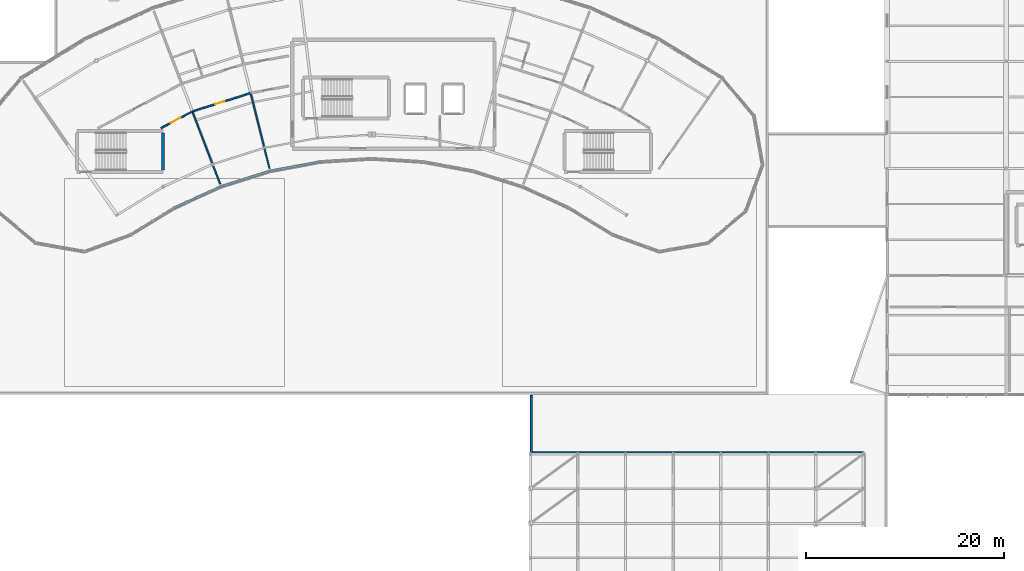
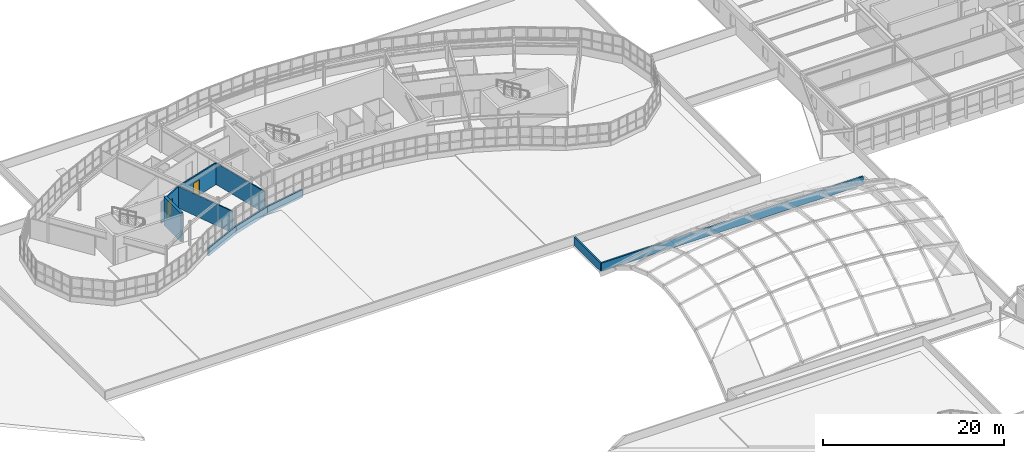
# One storey, part 106 of 128: 10 walls, 2 doors, 2 openings.
"""IFC4 building model written with IfcOpenShell, lengths in metres."""

from ifc_helpers import new_model, si_unit, direction, frame, frame_2d, origin, place, context, subcontext, project, spatial, rectangle, extrude, material, layer, layer_set, type_object, element, fill, save


model = new_model("IFC4")

# Units and contexts
model_context = context("Model", 3, precision=1e-05, world=origin(), true_north=direction((0.0, 1.0)))
body_context = subcontext(model_context, "Body", "Model", "MODEL_VIEW")
ifc_project = project(units=[si_unit("LENGTHUNIT", "METRE"), si_unit("AREAUNIT", "SQUARE_METRE"), si_unit("VOLUMEUNIT", "CUBIC_METRE"), si_unit("PLANEANGLEUNIT", "RADIAN"), si_unit("MASSUNIT", "GRAM", prefix="KILO")], contexts=[model_context])

# Site, building, storey
site_placement = place(None, origin())
site = spatial("IfcSite", under=ifc_project, at=site_placement, CompositionType="ELEMENT")
building_placement = place(site_placement, origin())
building = spatial("IfcBuilding", under=site, at=building_placement, Name="Tarnwether General Hospital", CompositionType="ELEMENT")
storey_placement = place(building_placement, frame((0.0, 0.0, 14.39990234375)))
storey = spatial("IfcBuildingStorey", under=building, at=storey_placement, Name="L03", CompositionType="ELEMENT", Elevation=14.39990234375)

# Walls
ifc_material_1 = material(Name="Streamlined white enamelled aluminium", Category="aluminium")
ifc_layer_1 = layer(ifc_material_1, 0.219970703125)
ifc_layer_set_1 = layer_set([ifc_layer_1], Name="Streamlined white enamelled aluminium")
wall_type_1 = type_object("IfcWallType", Name="WL-EX220", PredefinedType="STANDARD", material=ifc_layer_set_1)
wall_1_placement = place(storey_placement, frame((76.804931640625, 102.583984375, 0.0), z_axis=(0.0, 0.0, 1.0), x_axis=(-0.909955822384, -0.414705198074, 0.0)))
element("IfcWall", 1, at=wall_1_placement, inside=storey, type_object=wall_type_1, Name="Ward NW Streamlined White Spandrel EW-L03-0007", PredefinedType="STANDARD", context=body_context, shape_type="SweptSolid", body=[
    extrude(rectangle(XDim=5.177001953125, YDim=0.219970703125, at=frame_2d((2.58837890625, 0.0))), origin(), (0.0, 0.0, 1.0), 1.050048828125),
])
wall_2_placement = place(storey_placement, frame((81.742919921875, 104.14111328125, 0.0), z_axis=(0.0, 0.0, 1.0), x_axis=(-0.953706582316, -0.300738681994, 0.0)))
element("IfcWall", 2, at=wall_2_placement, inside=storey, type_object=wall_type_1, Name="Ward NW Streamlined White Spandrel EW-L03-0008", PredefinedType="STANDARD", context=body_context, shape_type="SweptSolid", body=[
    extrude(rectangle(XDim=5.177734375, YDim=0.219970703125, at=frame_2d((2.5888671875, 0.0))), origin(), (0.0, 0.0, 1.0), 1.050048828125),
])
wall_3_placement = place(storey_placement, frame((86.8330078125, 105.083984375, 0.0), z_axis=(0.0, 0.0, 1.0), x_axis=(-0.98327293422, -0.182138235501, 0.0)))
element("IfcWall", 3, at=wall_3_placement, inside=storey, type_object=wall_type_1, Name="Ward NW Streamlined White Spandrel EW-L03-0009", PredefinedType="STANDARD", context=body_context, shape_type="SweptSolid", body=[
    extrude(rectangle(XDim=5.1767578125, YDim=0.219970703125, at=frame_2d((2.58837890625, 0.0))), origin(), (0.0, 0.0, 1.0), 1.050048828125),
])
ifc_material_2 = material(Name="Precast concrete 40 MPa", Category="concrete")
ifc_layer_2 = layer(ifc_material_2, 0.199951171875)
ifc_layer_set_2 = layer_set([ifc_layer_2], Name="Precast concrete 40 MPa")
wall_type_2 = type_object("IfcWallType", Name="WL-PR200", PredefinedType="PARAPET", material=ifc_layer_set_2)
wall_4_placement = place(storey_placement, frame((141.60009765625, 75.699951171875, 0.330078125), z_axis=(0.0, 0.0, 1.0), x_axis=(-1.0, 0.0, 0.0)))
element("IfcWall", 4, at=wall_4_placement, inside=storey, type_object=wall_type_2, Name="Flat Roof Parapet EW-L03-0367", PredefinedType="PARAPET", context=body_context, shape_type="SweptSolid", body=[
    extrude(rectangle(XDim=33.5, YDim=0.199951171875, at=frame_2d((16.75, 0.0))), origin(), (0.0, 0.0, 1.0), 1.1201171875),
])
wall_5_placement = place(storey_placement, frame((108.10009765625, 75.699951171875, 0.330078125), z_axis=(0.0, 0.0, 1.0), x_axis=(0.0, 1.0, 0.0)))
element("IfcWall", 5, at=wall_5_placement, inside=storey, type_object=wall_type_2, Name="Flat Roof Parapet EW-L03-0368", PredefinedType="PARAPET", context=body_context, shape_type="SweptSolid", body=[
    extrude(rectangle(XDim=5.800048828125, YDim=0.199951171875, at=frame_2d((2.89990234375, 0.0))), origin(), (0.0, 0.0, 1.0), 1.1201171875),
])
ifc_material_3 = material(Name="Gypsum plasterboard")
ifc_layer_3 = layer(ifc_material_3, 0.139892578125)
ifc_layer_set_3 = layer_set([ifc_layer_3], Name="Gypsum plasterboard")
wall_type_3 = type_object("IfcWallType", Name="WL-PT140", PredefinedType="PARTITIONING", material=ifc_layer_set_3)
wall_6_placement = place(storey_placement, frame((73.902099609375, 110.14599609375, 0.0), z_axis=(0.0, 0.0, 1.0), x_axis=(0.358410014332, -0.933564278251, 0.0)))
element("IfcWall", 6, at=wall_6_placement, inside=storey, type_object=wall_type_3, Name="Interior Partition PT-L03-0305", PredefinedType="PARTITIONING", context=body_context, shape_type="SweptSolid", body=[
    extrude(rectangle(XDim=7.820556640625, YDim=0.139892578125, at=frame_2d((3.91015625, 0.0))), origin(), (0.0, 0.0, 1.0), 2.93310546875),
])
wall_7_placement = place(storey_placement, frame((79.782958984375, 112.0, 0.0), z_axis=(0.0, 0.0, 1.0), x_axis=(0.241947927131, -0.970289235515, 0.0)))
element("IfcWall", 7, at=wall_7_placement, inside=storey, type_object=wall_type_3, Name="Interior Partition PT-L03-0311", PredefinedType="PARTITIONING", context=body_context, shape_type="SweptSolid", body=[
    extrude(rectangle(XDim=7.8203125, YDim=0.139892578125, at=frame_2d((3.91015625, 0.0))), origin(), (0.0, 0.0, 1.0), 2.93798828125),
])

# Wall, opening, door
ifc_material_4 = material(Name="Gypsum plasterboard")
ifc_layer_4 = layer(ifc_material_4, 0.159912109375)
ifc_layer_set_4 = layer_set([ifc_layer_4], Name="Gypsum plasterboard")
wall_type_4 = type_object("IfcWallType", Name="WL-PT160", PredefinedType="PARTITIONING", material=ifc_layer_set_4)
wall_8_placement = place(storey_placement, frame((70.73095703125, 108.4599609375, 0.0), z_axis=(0.0, 0.0, 1.0), x_axis=(0.882958125757, 0.46945175275, 0.0)))
wall_8 = element("IfcWall", 8, at=wall_8_placement, inside=storey, type_object=wall_type_4, Name="Interior Partition PT-L03-0304", PredefinedType="PARTITIONING", context=body_context, shape_type="SweptSolid", body=[
    extrude(rectangle(XDim=3.591552734375, YDim=0.159912109375, at=frame_2d((1.7958984375, 0.0))), origin(), (0.0, 0.0, 1.0), 2.93310546875),
])
opening_1_placement = place(wall_8_placement, frame((1.14599609375, 0.0, 0.0)))
opening_1 = element("IfcOpeningElement", 9, at=opening_1_placement, cuts=wall_8, Name="Opening D-07", PredefinedType="OPENING", context=body_context, shape_type="SweptSolid", body=[
    extrude(rectangle(XDim=1.1201171875, YDim=2.080078125, at=frame_2d((0.56005859375, 1.0400390625))), frame((0.0, 0.08984375, 0.0), z_axis=(0.0, -1.0, 0.0), x_axis=(1.0, 0.0, 0.0)), (0.0, 0.0, 1.0), 0.179931640625),
])
ifc_material_5 = material(Name="Anodised aluminium", Category="aluminium")
door_type_1 = type_object("IfcDoorType", Name="DR-IN07", OperationType="NOTDEFINED", PredefinedType="DOOR", material=ifc_material_5)
door_1_placement = place(opening_1_placement, origin())
door_1 = element("IfcDoor", 10, at=door_1_placement, inside=storey, type_object=door_type_1, Name="Interior Door DR-L03-0169", OperationType="SINGLE_SWING_LEFT", OverallHeight=2.080078125, OverallWidth=1.1201171875, PredefinedType="DOOR", context=body_context, shape_type="SweptSolid", body=[
    extrude(rectangle(XDim=1.1201171875, YDim=2.080078125, at=frame_2d((0.56005859375, 1.0400390625))), frame((0.0, 0.02490234375, 0.0), z_axis=(0.0, -1.0, 0.0), x_axis=(1.0, 0.0, 0.0)), (0.0, 0.0, 1.0), 0.050048828125),
])
fill(opening_1, door_1)

wall_9_placement = place(storey_placement, frame((73.902099609375, 110.14599609375, 0.0), z_axis=(0.0, 0.0, 1.0), x_axis=(0.953727365227, 0.300672767002, 0.0)))
wall_9 = element("IfcWall", 11, at=wall_9_placement, inside=storey, type_object=wall_type_4, Name="Interior Partition PT-L03-0310", PredefinedType="PARTITIONING", context=body_context, shape_type="SweptSolid", body=[
    extrude(rectangle(XDim=6.166259765625, YDim=0.159912109375, at=frame_2d((3.0830078125, 0.0))), origin(), (0.0, 0.0, 1.0), 2.93310546875),
])
opening_2_placement = place(wall_9_placement, frame((2.43310546875, 0.0, 0.0)))
opening_2 = element("IfcOpeningElement", 12, at=opening_2_placement, cuts=wall_9, Name="Opening D-10", PredefinedType="OPENING", context=body_context, shape_type="SweptSolid", body=[
    extrude(rectangle(XDim=0.9599609375, YDim=2.06005859375, at=frame_2d((0.47998046875, 1.030029296875))), frame((0.0, 0.08984375, 0.0), z_axis=(0.0, -1.0, 0.0), x_axis=(1.0, 0.0, 0.0)), (0.0, 0.0, 1.0), 0.179931640625),
])
ifc_material_6 = material(Name="Anodised aluminium", Category="aluminium")
door_type_2 = type_object("IfcDoorType", Name="DR-IN10", OperationType="NOTDEFINED", PredefinedType="DOOR", material=ifc_material_6)
door_2_placement = place(opening_2_placement, origin())
door_2 = element("IfcDoor", 13, at=door_2_placement, inside=storey, type_object=door_type_2, Name="Interior Door DR-L03-0172", OperationType="SINGLE_SWING_RIGHT", OverallHeight=2.06005859375, OverallWidth=0.9599609375, PredefinedType="DOOR", context=body_context, shape_type="SweptSolid", body=[
    extrude(rectangle(XDim=0.9599609375, YDim=2.06005859375, at=frame_2d((0.47998046875, 1.030029296875))), frame((0.0, 0.02490234375, 0.0), z_axis=(0.0, -1.0, 0.0), x_axis=(1.0, 0.0, 0.0)), (0.0, 0.0, 1.0), 0.050048828125),
])
fill(opening_2, door_2)

# Wall
ifc_material_7 = material(Name="Concrete 50 MPa", Category="concrete")
ifc_layer_5 = layer(ifc_material_7, 0.300048828125)
ifc_layer_set_5 = layer_set([ifc_layer_5], Name="Concrete 50 MPa")
wall_type_5 = type_object("IfcWallType", Name="WL-SW300", PredefinedType="SHEAR", material=ifc_layer_set_5)
wall_10_placement = place(storey_placement, frame((70.949951171875, 104.219970703125, 0.0), z_axis=(0.0, 0.0, 1.0), x_axis=(0.0, 1.0, 0.0)))
element("IfcWall", 14, at=wall_10_placement, inside=storey, type_object=wall_type_5, Name="Stairwell Shear Wall STW-ST-07-L03-F", PredefinedType="SHEAR", context=body_context, shape_type="SweptSolid", body=[
    extrude(rectangle(XDim=3.760009765625, YDim=0.300048828125, at=frame_2d((1.8798828125, 0.0))), origin(), (0.0, 0.0, 1.0), 3.900146484375),
])

save(model, "model.ifc")
